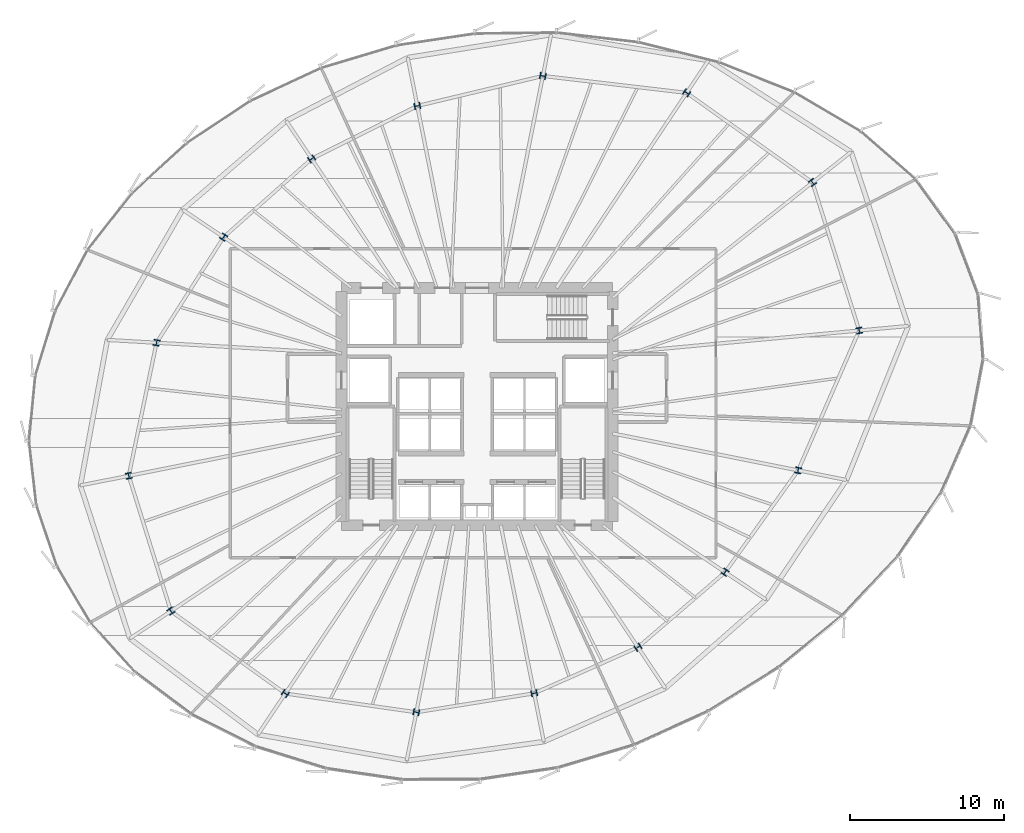
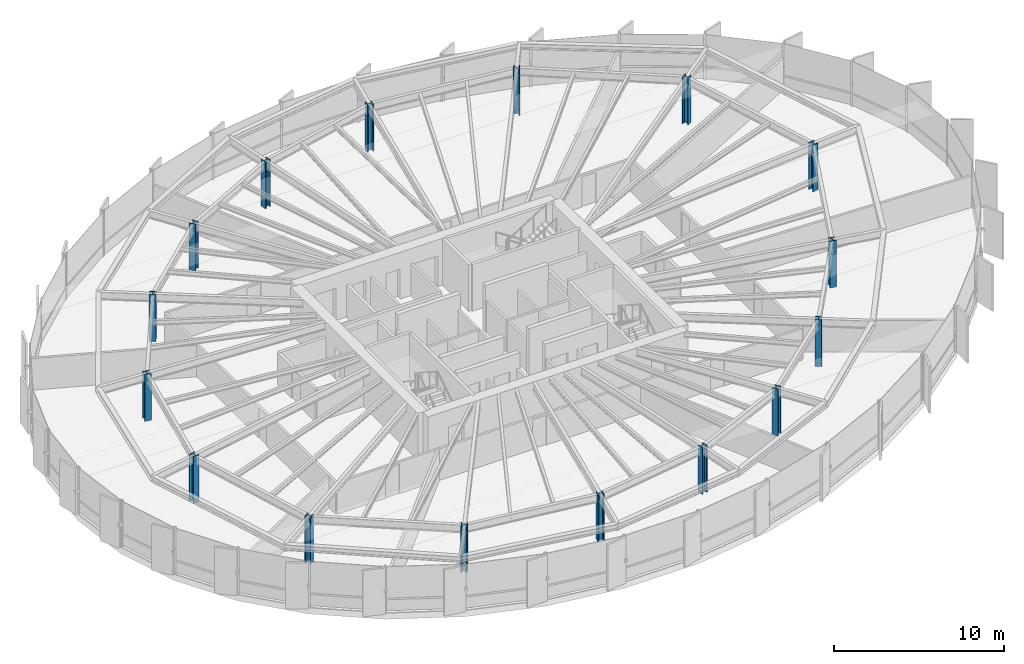
# One storey, part 1 of 35: 16 columns.
"""IFC4 building model written with IfcOpenShell, lengths in metres."""

from ifc_helpers import new_model, si_unit, direction, frame, origin, origin_2d, place, context, subcontext, project, spatial, i_section, extrude, source, transform, mapped, material, material_profile, profile_set, type_object, element, save


model = new_model("IFC4")

# Units and contexts
model_context = context("Model", 3, precision=1e-05, world=origin(), true_north=direction((0.0, 1.0)))
body_context = subcontext(model_context, "Body", "Model", "MODEL_VIEW")
ifc_project = project(units=[si_unit("LENGTHUNIT", "METRE"), si_unit("AREAUNIT", "SQUARE_METRE"), si_unit("VOLUMEUNIT", "CUBIC_METRE"), si_unit("PLANEANGLEUNIT", "RADIAN"), si_unit("MASSUNIT", "GRAM", prefix="KILO"), si_unit("THERMODYNAMICTEMPERATUREUNIT", "KELVIN")], contexts=[model_context])

# Site, building, storey
site_placement = place(None, origin())
site = spatial("IfcSite", under=ifc_project, at=site_placement, CompositionType="ELEMENT")
building_placement = place(site_placement, origin())
building = spatial("IfcBuilding", under=site, at=building_placement, Name="Kethvar Cultural Tower", CompositionType="ELEMENT")
storey_placement = place(building_placement, frame((0.0, 0.0, 85.60009765625)))
storey = spatial("IfcBuildingStorey", under=building, at=storey_placement, Name="L20", CompositionType="ELEMENT", Elevation=85.60009765625)

# Columns
ifc_material = material(Name="Steel S460M", Category="steel")
ifc_material_profile = material_profile(ifc_material, i_section(OverallWidth=0.405029296875, OverallDepth=0.39794921875, WebThickness=0.034912109375, FlangeThickness=0.055908203125, FilletRadius=0.014892578125, at=origin_2d()), Name="Steel S460M — HD400x744")
ifc_profile_set = profile_set([ifc_material_profile], Name="Steel S460M — HD400x744")
column_type = type_object("IfcColumnType", Name="COL-HD744", PredefinedType="COLUMN", material=ifc_profile_set)
shared_shape = source(origin(), body_context, "Body", "SweptSolid", [
    extrude(i_section(OverallWidth=0.405029296875, OverallDepth=0.39794921875, WebThickness=0.034912109375, FlangeThickness=0.055908203125, FilletRadius=0.014892578125, at=origin_2d()), origin(), (0.0, 0.0, 1.0), 3.349853515625),
])
for number, where, z_axis, x_axis, name in (
    (1, (71.6025390625, 32.7333984375, 0.0), (0.0, 0.0, 1.0), (0.980785280403, 0.195090322016, 0.0), "L20 Mega-Column MC-01"),
    (2, (68.568603515625, 42.34521484375, 0.0), (0.0, 0.0, 1.0), (0.831469612303, 0.55557023302, 0.0), "L20 Mega-Column MC-02"),
    (3, (60.40478515625, 48.160888671875, 0.0), (0.0, 0.0, 1.0), (0.55557023302, 0.831469612303, 0.0), "L20 Mega-Column MC-03"),
    (4, (51.068603515625, 49.25927734375, 0.0), (0.0, 0.0, 1.0), (0.195090322016, 0.980785280403, 0.0), "L20 Mega-Column MC-04"),
    (5, (42.9189453125, 47.311279296875, 0.0), (0.0, 0.0, 1.0), (-0.195090322016, 0.980785280403, 0.0), "L20 Mega-Column MC-05"),
    (6, (36.0576171875, 43.877197265625, 0.0), (0.0, 0.0, 1.0), (-0.55557023302, 0.831469612303, 0.0), "L20 Mega-Column MC-06"),
    (7, (30.345947265625, 38.794189453125, 0.0), (0.0, 0.0, 1.0), (-0.831469612303, 0.55557023302, 0.0), "L20 Mega-Column MC-07"),
    (8, (25.988525390625, 31.939697265625, 0.0), (0.0, 0.0, 1.0), (-0.980785280403, 0.195090322016, 0.0), "L20 Mega-Column MC-08"),
    (9, (24.185302734375, 23.3017578125, 0.0), (0.0, 0.0, 1.0), (-0.980785280403, -0.195090322016, 0.0), "L20 Mega-Column MC-09"),
    (10, (26.920654296875, 14.51708984375, 0.0), (0.0, 0.0, 1.0), (-0.831469612303, -0.55557023302, 0.0), "L20 Mega-Column MC-10"),
    (11, (34.350830078125, 9.16845703125, 0.0), (0.0, 0.0, 1.0), (-0.55557023302, -0.831469612303, 0.0), "L20 Mega-Column MC-11"),
    (12, (42.852294921875, 7.95361328125, 0.0), (0.0, 0.0, 1.0), (-0.195090322016, -0.980785280403, 0.0), "L20 Mega-Column MC-12"),
    (13, (50.50341796875, 9.182373046875, 0.0), (0.0, 0.0, 1.0), (0.195090322016, -0.980785280403, 0.0), "L20 Mega-Column MC-13"),
    (14, (57.241943359375, 12.17236328125, 0.0), (0.0, 0.0, 1.0), (0.55557023302, -0.831469612303, 0.0), "L20 Mega-Column MC-14"),
    (15, (62.898681640625, 17.043212890625, 0.0), (0.0, 0.0, 1.0), (0.831469612303, -0.55557023302, 0.0), "L20 Mega-Column MC-15"),
    (16, (67.638671875, 23.65478515625, 0.0), (0.0, 0.0, 1.0), (0.980785280403, -0.195090322016, 0.0), "L20 Mega-Column MC-16"),
):
    element("IfcColumn", number, at=place(storey_placement, frame(where, z_axis=z_axis, x_axis=x_axis)), inside=storey, type_object=column_type, Name=name, PredefinedType="COLUMN", context=body_context, shape_type="MappedRepresentation", body=[
        mapped(shared_shape, transform((0.0, 0.0, 0.0), scale=1.0)),
    ])

save(model, "model.ifc")
